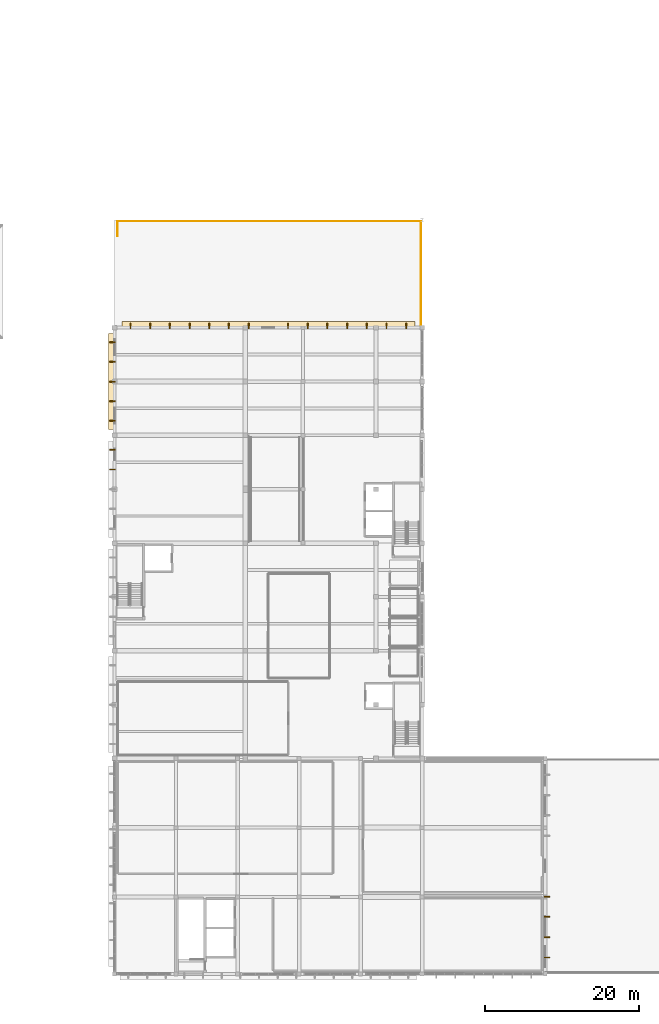
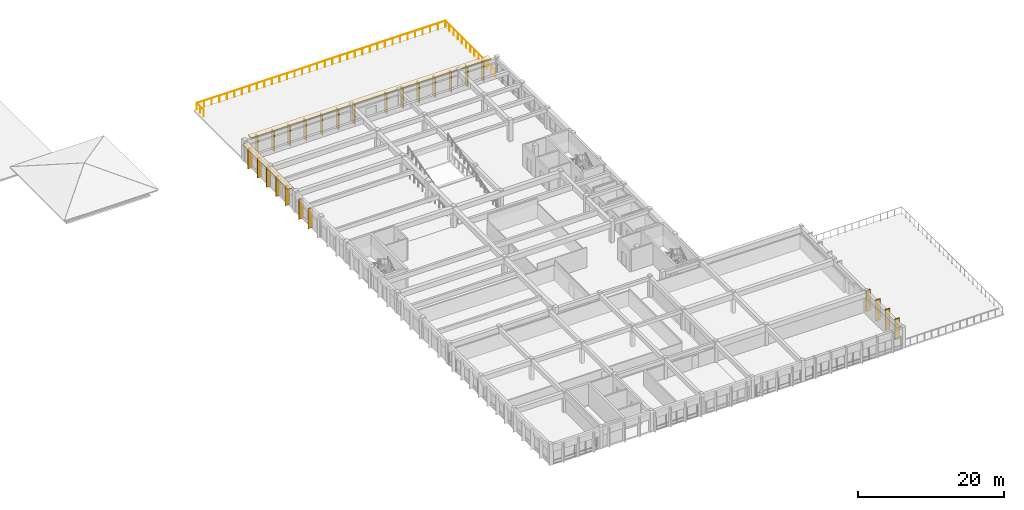
# One storey, part 32 of 33: 27 coverings, 1 railing.
"""IFC4 building model written with IfcOpenShell, lengths in metres."""

import ifcopenshell
import ifcopenshell.guid

model = None  # the IFC model being written
_history = None  # IfcOwnerHistory: only IFC2X3 demands one
_inside = {}  # id of a spatial element -> (the spatial element, [elements in it])
_under = {}  # id of a project, library or spatial element -> (it, [spatial elements below it])
_declared = {}  # id of a project -> (the project, [libraries it declares])
_typed = {}  # id of a type object -> (the type object, [elements of that type])
_made_of = {}  # id of a material, layer set ... -> (it, [elements and type objects made of it])


def new_model(schema):
    """Start an empty IFC model of exactly this schema.

    Asked for "IFC4X3", IfcOpenShell would pick the latest addendum, in which some entities
    have other attributes; the version numbers below select the first issue.
    IFC2X3 requires an IfcOwnerHistory on every rooted entity: one is made here for all.
    """
    global model, _history
    if schema == "IFC4X3":
        model = ifcopenshell.file(schema_version=(4, 3, 0, 0))
    else:
        model = ifcopenshell.file(schema=schema)
    _inside.clear()
    _under.clear()
    _declared.clear()
    _typed.clear()
    _made_of.clear()
    _history = None
    if model.schema == "IFC2X3":
        org = make("IfcOrganization", Name="unknown")
        user = make(
            "IfcPersonAndOrganization",
            ThePerson=make("IfcPerson", FamilyName="unknown"),
            TheOrganization=org,
        )
        app = make(
            "IfcApplication",
            ApplicationDeveloper=org,
            Version="unknown",
            ApplicationFullName="unknown",
            ApplicationIdentifier="unknown",
        )
        _history = make(
            "IfcOwnerHistory",
            OwningUser=user,
            OwningApplication=app,
            ChangeAction="ADDED",
            CreationDate=0,
        )
    return model


def make(cls, **values):
    """One entity of the class cls with the attributes given. An attribute that is None is left unset."""
    return model.create_entity(
        cls, **{name: value for name, value in values.items() if value is not None}
    )


def rooted(cls, **values):
    """An entity with a GlobalId (a new one), such as an element, a storey or a relation."""
    return make(cls, GlobalId=ifcopenshell.guid.new(), OwnerHistory=_history, **values)


def si_unit(unit_type, name, prefix=None):
    """IfcSIUnit, for example si_unit("LENGTHUNIT", "METRE", prefix="MILLI")."""
    return make("IfcSIUnit", UnitType=unit_type, Prefix=prefix, Name=name)


def assignment(units):
    """IfcUnitAssignment: the units of a project."""
    return None if units is None else make("IfcUnitAssignment", Units=units)


def point(xyz):
    """IfcCartesianPoint."""
    return None if xyz is None else make("IfcCartesianPoint", Coordinates=xyz)


def direction(xyz):
    """IfcDirection."""
    return None if xyz is None else make("IfcDirection", DirectionRatios=xyz)


def frame(location, z_axis=None, x_axis=None):
    """IfcAxis2Placement3D, a coordinate frame: its origin and axes. An axis left out is left unset."""
    return make(
        "IfcAxis2Placement3D",
        Location=point(location),
        Axis=direction(z_axis),
        RefDirection=direction(x_axis),
    )


def frame_2d(location, x_axis=None):
    """IfcAxis2Placement2D, a coordinate frame in the plane: its origin and x axis."""
    return make(
        "IfcAxis2Placement2D", Location=point(location), RefDirection=direction(x_axis)
    )


def origin():
    """The frame at (0, 0, 0) with its axes left unset."""
    return frame((0.0, 0.0, 0.0))


def origin_2d():
    """The frame at (0, 0) in the plane with its x axis left unset."""
    return frame_2d((0.0, 0.0))


def place(relative_to, where):
    """IfcLocalPlacement: puts the frame where relative to a parent placement (None: the world)."""
    return make(
        "IfcLocalPlacement", PlacementRelTo=relative_to, RelativePlacement=where
    )


def context(
    kind, dimensions, precision=None, world=None, true_north=None, identifier=None
):
    """IfcGeometricRepresentationContext, for example the 3D "Model" context."""
    return make(
        "IfcGeometricRepresentationContext",
        ContextIdentifier=identifier,
        ContextType=kind,
        CoordinateSpaceDimension=dimensions,
        Precision=precision,
        WorldCoordinateSystem=world,
        TrueNorth=true_north,
    )


def subcontext(parent, identifier, kind, view, scale=None):
    """IfcGeometricRepresentationSubContext, for example "Body" below "Model"."""
    return make(
        "IfcGeometricRepresentationSubContext",
        ContextIdentifier=identifier,
        ContextType=kind,
        ParentContext=parent,
        TargetScale=scale,
        TargetView=view,
    )


def project(units=None, contexts=None):
    """IfcProject with its units and contexts."""
    return rooted(
        "IfcProject",
        Name="project",
        RepresentationContexts=contexts,
        UnitsInContext=assignment(units),
    )


def spatial(cls, under=None, at=None, **own):
    """A site, building, storey or space (cls), placed at a placement, below another one or the project."""
    s = rooted(cls, ObjectPlacement=at, **own)
    if under is not None:
        _under.setdefault(under.id(), (under, []))[1].append(s)
    return s


def profile(cls, at=None, kind="AREA", **sizes):
    """A parametric profile (cls). Its sizes go by their IFC names, for example OverallWidth=200.0."""
    return make(cls, ProfileType=kind, Position=at, **sizes)


def rectangle(**sizes):
    """IfcRectangleProfileDef."""
    return profile("IfcRectangleProfileDef", **sizes)


def circle(**sizes):
    """IfcCircleProfileDef."""
    return profile("IfcCircleProfileDef", **sizes)


def extrude(swept, where, along, depth):
    """IfcExtrudedAreaSolid: the profile swept, set in the frame where, extruded along a direction by depth."""
    return make(
        "IfcExtrudedAreaSolid",
        SweptArea=swept,
        Position=where,
        ExtrudedDirection=direction(along),
        Depth=depth,
    )


def shape(context_of_items, identifier, shape_type, items):
    """IfcShapeRepresentation: the items that make up one representation, for example the "Body"."""
    return make(
        "IfcShapeRepresentation",
        ContextOfItems=context_of_items,
        RepresentationIdentifier=identifier,
        RepresentationType=shape_type,
        Items=items,
    )


def material(Name=None, Category=None):
    """IfcMaterial."""
    return make("IfcMaterial", Name=Name, Category=Category)


def layer(
    of_material, thickness, ventilated=None, Name=None, Category=None, Priority=None
):
    """IfcMaterialLayer: one layer of a wall or slab, of a material (None: an air gap)."""
    return make(
        "IfcMaterialLayer",
        Material=of_material,
        LayerThickness=thickness,
        IsVentilated=ventilated,
        Name=Name,
        Category=Category,
        Priority=Priority,
    )


def layer_set(layers, Name=None):
    """IfcMaterialLayerSet."""
    return make("IfcMaterialLayerSet", MaterialLayers=layers, LayerSetName=Name)


def made_of(thing, what):
    """Note that an element or type object is made of a material, layer set ...; save() writes the relation."""
    if what is not None:
        _made_of.setdefault(what.id(), (what, []))[1].append(thing)
    return thing


def type_object(cls, material=None, **own):
    """A type object (cls), such as IfcWallType, which elements share."""
    return made_of(rooted(cls, **own), material)


def element(
    cls,
    number,
    at=None,
    inside=None,
    cuts=None,
    type_object=None,
    material=None,
    context=None,
    identifier="Body",
    shape_type=None,
    held_by="IfcProductDefinitionShape",
    body=None,
    shapes=None,
    **own,
):
    """One element of the class cls, such as IfcWall. Its Tag is "e" and its number.

    at: its placement. inside: the storey or other place that contains it. cuts: it is an
    opening in that element (IfcRelVoidsElement). A single representation is given by context,
    identifier, shape_type and body (its items); several are given by shapes. held_by: the class
    of the entity that holds the representations. save() writes the other relations.
    """
    e = rooted(cls, Tag="e%d" % number, ObjectPlacement=at, **own)
    if body is not None:
        shapes = [shape(context, identifier, shape_type, body)]
    if shapes is not None:
        e.Representation = make(held_by, Representations=shapes)
    if inside is not None:
        _inside.setdefault(inside.id(), (inside, []))[1].append(e)
    if cuts is not None:
        rooted(
            "IfcRelVoidsElement", RelatingBuildingElement=cuts, RelatedOpeningElement=e
        )
    if type_object is not None:
        _typed.setdefault(type_object.id(), (type_object, []))[1].append(e)
    return made_of(e, material)


def aggregate(whole, parts):
    """IfcRelAggregates: a whole, such as a stair, and the parts it consists of."""
    return rooted("IfcRelAggregates", RelatingObject=whole, RelatedObjects=parts)


def save(model, path):
    """Write the relations noted so far, then the file.

    IfcRelAggregates (storeys below a building ...), IfcRelContainedInSpatialStructure (elements
    in a storey), IfcRelDefinesByType, IfcRelAssociatesMaterial and IfcRelDeclares: one each for
    every whole, place, type object, material and project.
    """
    for whole, parts in _under.values():
        aggregate(whole, parts)
    for where, things in _inside.values():
        rooted(
            "IfcRelContainedInSpatialStructure",
            RelatedElements=things,
            RelatingStructure=where,
        )
    for kind, things in _typed.values():
        rooted("IfcRelDefinesByType", RelatedObjects=things, RelatingType=kind)
    for what, things in _made_of.values():
        rooted("IfcRelAssociatesMaterial", RelatedObjects=things, RelatingMaterial=what)
    for by, libraries in _declared.values():
        rooted("IfcRelDeclares", RelatingContext=by, RelatedDefinitions=libraries)
    model.write(path)


model = new_model("IFC4")

# Units and contexts
model_context = context("Model", 3, precision=1e-05, world=origin(), true_north=direction((0.0, 1.0)))
body_context = subcontext(model_context, "Body", "Model", "MODEL_VIEW")
ifc_project = project(units=[si_unit("LENGTHUNIT", "METRE"), si_unit("AREAUNIT", "SQUARE_METRE"), si_unit("VOLUMEUNIT", "CUBIC_METRE"), si_unit("PLANEANGLEUNIT", "RADIAN"), si_unit("MASSUNIT", "GRAM", prefix="KILO")], contexts=[model_context])

# Site, building, storey
site_placement = place(None, origin())
site = spatial("IfcSite", under=ifc_project, at=site_placement, CompositionType="ELEMENT")
building_placement = place(site_placement, origin())
building = spatial("IfcBuilding", under=site, at=building_placement, Name="Larkveld Mobility Hub", CompositionType="ELEMENT")
storey_placement = place(building_placement, frame((0.0, 0.0, 15.60009765625)))
storey = spatial("IfcBuildingStorey", under=building, at=storey_placement, Name="L04", CompositionType="ELEMENT", Elevation=15.60009765625)

# Coverings
ifc_material_1 = material(Name="Precast concrete C50/60", Category="concrete")
ifc_layer_1 = layer(ifc_material_1, 0.14990234375, Name="Precast concrete C50/60", Category="concrete")
ifc_layer_set_1 = layer_set([ifc_layer_1], Name="Precast concrete C50/60")
covering_type_1 = type_object("IfcCoveringType", Name="COV-QSL-H01", PredefinedType="CLADDING", material=ifc_layer_set_1)
covering_1_placement = place(storey_placement, frame((111.659912109375, 77.0, 3.369873046875), z_axis=(0.0, 0.0, 1.0), x_axis=(0.0, -1.0, 0.0)))
element("IfcCovering", 1, at=covering_1_placement, inside=storey, type_object=covering_type_1, Name="Precast Quebra-Sol Horizontal Sunbreaker QSH-563", PredefinedType="CLADDING", context=body_context, shape_type="SweptSolid", body=[
    extrude(rectangle(XDim=12.5, YDim=0.919921875, at=origin_2d()), origin(), (0.0, 0.0, 1.0), 0.14990234375),
])
covering_2_placement = place(storey_placement, frame((132.0, 84.340087890625, 3.369873046875), z_axis=(0.0, 0.0, 1.0), x_axis=(-1.0, 0.0, 0.0)))
element("IfcCovering", 2, at=covering_2_placement, inside=storey, type_object=covering_type_1, Name="Precast Quebra-Sol Horizontal Sunbreaker QSH-569", PredefinedType="CLADDING", context=body_context, shape_type="SweptSolid", body=[
    extrude(rectangle(XDim=38.10009765625, YDim=0.919921875, at=origin_2d()), origin(), (0.0, 0.0, 1.0), 0.14990234375),
])
ifc_layer_2 = layer(ifc_material_1, 0.1201171875, Name="Precast concrete C50/60", Category="concrete")
ifc_layer_set_2 = layer_set([ifc_layer_2], Name="Precast concrete C50/60")
covering_type_2 = type_object("IfcCoveringType", Name="COV-QSL-V01", PredefinedType="CLADDING", material=ifc_layer_set_2)
for number, where, z_axis, x_axis, name in (
    (3, (168.239990234375, 2.1201171875, -0.02001953125), (0.0, 0.0, 1.0), (0.0, 1.0, 0.0), "Precast Quebra-Sol Vertical Fin QSV-377"),
    (4, (168.239990234375, 4.760009765625, -0.02001953125), (0.0, 0.0, 1.0), (0.0, 1.0, 0.0), "Precast Quebra-Sol Vertical Fin QSV-378"),
    (5, (168.239990234375, 7.39990234375, -0.02001953125), (0.0, 0.0, 1.0), (0.0, 1.0, 0.0), "Precast Quebra-Sol Vertical Fin QSV-379"),
    (6, (168.239990234375, 10.0400390625, -0.02001953125), (0.0, 0.0, 1.0), (0.0, 1.0, 0.0), "Precast Quebra-Sol Vertical Fin QSV-380"),
):
    element("IfcCovering", number, at=place(storey_placement, frame(where, z_axis=z_axis, x_axis=x_axis)), inside=storey, type_object=covering_type_2, Name=name, PredefinedType="CLADDING", context=body_context, shape_type="SweptSolid", body=[
        extrude(rectangle(XDim=0.1201171875, YDim=0.719970703125, at=origin_2d()), origin(), (0.0, 0.0, 1.0), 3.52001953125),
    ])
for number, where, z_axis, x_axis, name in (
    (7, (111.760009765625, 68.1201171875, -0.0205078125), (0.0, 0.0, 1.0), (0.0, -1.0, 0.0), "Precast Quebra-Sol Vertical Fin QSV-558"),
    (8, (111.760009765625, 65.56005859375, -0.0205078125), (0.0, 0.0, 1.0), (0.0, -1.0, 0.0), "Precast Quebra-Sol Vertical Fin QSV-559"),
    (9, (111.760009765625, 82.1201171875, -0.0205078125), (0.0, 0.0, 1.0), (0.0, -1.0, 0.0), "Precast Quebra-Sol Vertical Fin QSV-564"),
    (10, (111.760009765625, 79.56005859375, -0.0205078125), (0.0, 0.0, 1.0), (0.0, -1.0, 0.0), "Precast Quebra-Sol Vertical Fin QSV-565"),
    (11, (111.760009765625, 77.0, -0.0205078125), (0.0, 0.0, 1.0), (0.0, -1.0, 0.0), "Precast Quebra-Sol Vertical Fin QSV-566"),
    (12, (111.760009765625, 74.43994140625, -0.0205078125), (0.0, 0.0, 1.0), (0.0, -1.0, 0.0), "Precast Quebra-Sol Vertical Fin QSV-567"),
    (13, (111.760009765625, 71.8798828125, -0.0205078125), (0.0, 0.0, 1.0), (0.0, -1.0, 0.0), "Precast Quebra-Sol Vertical Fin QSV-568"),
    (14, (149.919921875, 84.239990234375, -0.0205078125), (0.0, 0.0, 1.0), (-1.0, 0.0, 0.0), "Precast Quebra-Sol Vertical Fin QSV-570"),
    (15, (147.360107421875, 84.239990234375, -0.0205078125), (0.0, 0.0, 1.0), (-1.0, 0.0, 0.0), "Precast Quebra-Sol Vertical Fin QSV-571"),
    (16, (144.800048828125, 84.239990234375, -0.0205078125), (0.0, 0.0, 1.0), (-1.0, 0.0, 0.0), "Precast Quebra-Sol Vertical Fin QSV-572"),
    (17, (142.239990234375, 84.239990234375, -0.0205078125), (0.0, 0.0, 1.0), (-1.0, 0.0, 0.0), "Precast Quebra-Sol Vertical Fin QSV-573"),
    (18, (139.679931640625, 84.239990234375, -0.0205078125), (0.0, 0.0, 1.0), (-1.0, 0.0, 0.0), "Precast Quebra-Sol Vertical Fin QSV-574"),
    (19, (137.1201171875, 84.239990234375, -0.0205078125), (0.0, 0.0, 1.0), (-1.0, 0.0, 0.0), "Precast Quebra-Sol Vertical Fin QSV-575"),
    (20, (134.56005859375, 84.239990234375, -0.0205078125), (0.0, 0.0, 1.0), (-1.0, 0.0, 0.0), "Precast Quebra-Sol Vertical Fin QSV-576"),
    (21, (129.43994140625, 84.239990234375, -0.0205078125), (0.0, 0.0, 1.0), (-1.0, 0.0, 0.0), "Precast Quebra-Sol Vertical Fin QSV-577"),
    (22, (126.8798828125, 84.239990234375, -0.0205078125), (0.0, 0.0, 1.0), (-1.0, 0.0, 0.0), "Precast Quebra-Sol Vertical Fin QSV-578"),
    (23, (124.320068359375, 84.239990234375, -0.0205078125), (0.0, 0.0, 1.0), (-1.0, 0.0, 0.0), "Precast Quebra-Sol Vertical Fin QSV-579"),
    (24, (121.760009765625, 84.239990234375, -0.0205078125), (0.0, 0.0, 1.0), (-1.0, 0.0, 0.0), "Precast Quebra-Sol Vertical Fin QSV-580"),
    (25, (119.199951171875, 84.239990234375, -0.0205078125), (0.0, 0.0, 1.0), (-1.0, 0.0, 0.0), "Precast Quebra-Sol Vertical Fin QSV-581"),
    (26, (116.639892578125, 84.239990234375, -0.0205078125), (0.0, 0.0, 1.0), (-1.0, 0.0, 0.0), "Precast Quebra-Sol Vertical Fin QSV-582"),
    (27, (114.080078125, 84.239990234375, -0.0205078125), (0.0, 0.0, 1.0), (-1.0, 0.0, 0.0), "Precast Quebra-Sol Vertical Fin QSV-583"),
):
    element("IfcCovering", number, at=place(storey_placement, frame(where, z_axis=z_axis, x_axis=x_axis)), inside=storey, type_object=covering_type_2, Name=name, PredefinedType="CLADDING", context=body_context, shape_type="SweptSolid", body=[
        extrude(rectangle(XDim=0.1201171875, YDim=0.719970703125, at=origin_2d()), origin(), (0.0, 0.0, 1.0), 3.375),
    ])

# Railing
ifc_material_2 = material(Name="Anodized aluminium 6063-T6 balustrade", Category="aluminium")
railing_type = type_object("IfcRailingType", Name="RL-GRD-1150", PredefinedType="GUARDRAIL", material=ifc_material_2)
railing_placement = place(storey_placement, frame((112.3798828125, 95.89990234375, 0.0)))
element("IfcRailing", 28, at=railing_placement, inside=storey, type_object=railing_type, Name="EV Wing L04 North Terrace Guard L04-053", PredefinedType="GUARDRAIL", context=body_context, shape_type="SweptSolid", body=[
    extrude(circle(Radius=0.02392578125, at=origin_2d()), frame((0.0, 0.0, 1.1259765625), z_axis=(0.0, 1.0, 0.0), x_axis=(-1.0, 0.0, 0.0)), (0.0, 0.0, 1.0), 1.940185546875),
    extrude(circle(Radius=0.02392578125, at=origin_2d()), frame((0.0, 1.940185546875, 1.1259765625), z_axis=(1.0, 0.0, 0.0), x_axis=(0.0, 1.0, 0.0)), (0.0, 0.0, 1.0), 39.460205078125),
    extrude(circle(Radius=0.02392578125, at=origin_2d()), frame((39.460205078125, 1.940185546875, 1.1259765625), z_axis=(0.0, -1.0, 0.0), x_axis=(1.0, 0.0, 0.0)), (0.0, 0.0, 1.0), 13.760009765625),
    extrude(circle(Radius=0.02099609375, at=origin_2d()), origin(), (0.0, 0.0, 1.0), 1.101806640625),
    extrude(circle(Radius=0.02099609375, at=origin_2d()), frame((0.0, 0.97021484375, 0.0)), (0.0, 0.0, 1.0), 1.101806640625),
    extrude(circle(Radius=0.02099609375, at=origin_2d()), frame((0.0, 1.940185546875, 0.0)), (0.0, 0.0, 1.0), 1.101806640625),
    extrude(circle(Radius=0.02099609375, at=origin_2d()), frame((1.19580078125, 1.940185546875, 0.0)), (0.0, 0.0, 1.0), 1.101806640625),
    extrude(circle(Radius=0.02099609375, at=origin_2d()), frame((2.3916015625, 1.940185546875, 0.0)), (0.0, 0.0, 1.0), 1.101806640625),
    extrude(circle(Radius=0.02099609375, at=origin_2d()), frame((3.58740234375, 1.940185546875, 0.0)), (0.0, 0.0, 1.0), 1.101806640625),
    extrude(circle(Radius=0.02099609375, at=origin_2d()), frame((4.782958984375, 1.940185546875, 0.0)), (0.0, 0.0, 1.0), 1.101806640625),
    extrude(circle(Radius=0.02099609375, at=origin_2d()), frame((5.978759765625, 1.940185546875, 0.0)), (0.0, 0.0, 1.0), 1.101806640625),
    extrude(circle(Radius=0.02099609375, at=origin_2d()), frame((7.174560546875, 1.940185546875, 0.0)), (0.0, 0.0, 1.0), 1.101806640625),
    extrude(circle(Radius=0.02099609375, at=origin_2d()), frame((8.370361328125, 1.940185546875, 0.0)), (0.0, 0.0, 1.0), 1.101806640625),
    extrude(circle(Radius=0.02099609375, at=origin_2d()), frame((9.566162109375, 1.940185546875, 0.0)), (0.0, 0.0, 1.0), 1.101806640625),
    extrude(circle(Radius=0.02099609375, at=origin_2d()), frame((10.761962890625, 1.940185546875, 0.0)), (0.0, 0.0, 1.0), 1.101806640625),
    extrude(circle(Radius=0.02099609375, at=origin_2d()), frame((11.95751953125, 1.940185546875, 0.0)), (0.0, 0.0, 1.0), 1.101806640625),
    extrude(circle(Radius=0.02099609375, at=origin_2d()), frame((13.1533203125, 1.940185546875, 0.0)), (0.0, 0.0, 1.0), 1.101806640625),
    extrude(circle(Radius=0.02099609375, at=origin_2d()), frame((14.34912109375, 1.940185546875, 0.0)), (0.0, 0.0, 1.0), 1.101806640625),
    extrude(circle(Radius=0.02099609375, at=origin_2d()), frame((15.544921875, 1.940185546875, 0.0)), (0.0, 0.0, 1.0), 1.101806640625),
    extrude(circle(Radius=0.02099609375, at=origin_2d()), frame((16.74072265625, 1.940185546875, 0.0)), (0.0, 0.0, 1.0), 1.101806640625),
    extrude(circle(Radius=0.02099609375, at=origin_2d()), frame((17.9365234375, 1.940185546875, 0.0)), (0.0, 0.0, 1.0), 1.101806640625),
    extrude(circle(Radius=0.02099609375, at=origin_2d()), frame((19.13232421875, 1.940185546875, 0.0)), (0.0, 0.0, 1.0), 1.101806640625),
    extrude(circle(Radius=0.02099609375, at=origin_2d()), frame((20.327880859375, 1.940185546875, 0.0)), (0.0, 0.0, 1.0), 1.101806640625),
    extrude(circle(Radius=0.02099609375, at=origin_2d()), frame((21.523681640625, 1.940185546875, 0.0)), (0.0, 0.0, 1.0), 1.101806640625),
    extrude(circle(Radius=0.02099609375, at=origin_2d()), frame((22.719482421875, 1.940185546875, 0.0)), (0.0, 0.0, 1.0), 1.101806640625),
    extrude(circle(Radius=0.02099609375, at=origin_2d()), frame((23.915283203125, 1.940185546875, 0.0)), (0.0, 0.0, 1.0), 1.101806640625),
    extrude(circle(Radius=0.02099609375, at=origin_2d()), frame((25.111083984375, 1.940185546875, 0.0)), (0.0, 0.0, 1.0), 1.101806640625),
    extrude(circle(Radius=0.02099609375, at=origin_2d()), frame((26.306884765625, 1.940185546875, 0.0)), (0.0, 0.0, 1.0), 1.101806640625),
    extrude(circle(Radius=0.02099609375, at=origin_2d()), frame((27.502685546875, 1.940185546875, 0.0)), (0.0, 0.0, 1.0), 1.101806640625),
    extrude(circle(Radius=0.02099609375, at=origin_2d()), frame((28.6982421875, 1.940185546875, 0.0)), (0.0, 0.0, 1.0), 1.101806640625),
    extrude(circle(Radius=0.02099609375, at=origin_2d()), frame((29.89404296875, 1.940185546875, 0.0)), (0.0, 0.0, 1.0), 1.101806640625),
    extrude(circle(Radius=0.02099609375, at=origin_2d()), frame((31.08984375, 1.940185546875, 0.0)), (0.0, 0.0, 1.0), 1.101806640625),
    extrude(circle(Radius=0.02099609375, at=origin_2d()), frame((32.28564453125, 1.940185546875, 0.0)), (0.0, 0.0, 1.0), 1.101806640625),
    extrude(circle(Radius=0.02099609375, at=origin_2d()), frame((33.4814453125, 1.940185546875, 0.0)), (0.0, 0.0, 1.0), 1.101806640625),
    extrude(circle(Radius=0.02099609375, at=origin_2d()), frame((34.67724609375, 1.940185546875, 0.0)), (0.0, 0.0, 1.0), 1.101806640625),
    extrude(circle(Radius=0.02099609375, at=origin_2d()), frame((35.872802734375, 1.940185546875, 0.0)), (0.0, 0.0, 1.0), 1.101806640625),
    extrude(circle(Radius=0.02099609375, at=origin_2d()), frame((37.068603515625, 1.940185546875, 0.0)), (0.0, 0.0, 1.0), 1.101806640625),
    extrude(circle(Radius=0.02099609375, at=origin_2d()), frame((38.264404296875, 1.940185546875, 0.0)), (0.0, 0.0, 1.0), 1.101806640625),
    extrude(circle(Radius=0.02099609375, at=origin_2d()), frame((39.460205078125, 1.940185546875, 0.0)), (0.0, 0.0, 1.0), 1.101806640625),
    extrude(circle(Radius=0.02099609375, at=origin_2d()), frame((39.460205078125, 0.79345703125, 0.0)), (0.0, 0.0, 1.0), 1.101806640625),
    extrude(circle(Radius=0.02099609375, at=origin_2d()), frame((39.460205078125, -0.35302734375, 0.0)), (0.0, 0.0, 1.0), 1.101806640625),
    extrude(circle(Radius=0.02099609375, at=origin_2d()), frame((39.460205078125, -1.499755859375, 0.0)), (0.0, 0.0, 1.0), 1.101806640625),
    extrude(circle(Radius=0.02099609375, at=origin_2d()), frame((39.460205078125, -2.646484375, 0.0)), (0.0, 0.0, 1.0), 1.101806640625),
    extrude(circle(Radius=0.02099609375, at=origin_2d()), frame((39.460205078125, -3.793212890625, 0.0)), (0.0, 0.0, 1.0), 1.101806640625),
    extrude(circle(Radius=0.02099609375, at=origin_2d()), frame((39.460205078125, -4.93994140625, 0.0)), (0.0, 0.0, 1.0), 1.101806640625),
    extrude(circle(Radius=0.02099609375, at=origin_2d()), frame((39.460205078125, -6.08642578125, 0.0)), (0.0, 0.0, 1.0), 1.101806640625),
    extrude(circle(Radius=0.02099609375, at=origin_2d()), frame((39.460205078125, -7.233154296875, 0.0)), (0.0, 0.0, 1.0), 1.101806640625),
    extrude(circle(Radius=0.02099609375, at=origin_2d()), frame((39.460205078125, -8.3798828125, 0.0)), (0.0, 0.0, 1.0), 1.101806640625),
    extrude(circle(Radius=0.02099609375, at=origin_2d()), frame((39.460205078125, -9.5263671875, 0.0)), (0.0, 0.0, 1.0), 1.101806640625),
    extrude(circle(Radius=0.02099609375, at=origin_2d()), frame((39.460205078125, -10.673095703125, 0.0)), (0.0, 0.0, 1.0), 1.101806640625),
    extrude(circle(Radius=0.02099609375, at=origin_2d()), frame((39.460205078125, -11.81982421875, 0.0)), (0.0, 0.0, 1.0), 1.101806640625),
])

save(model, "model.ifc")
